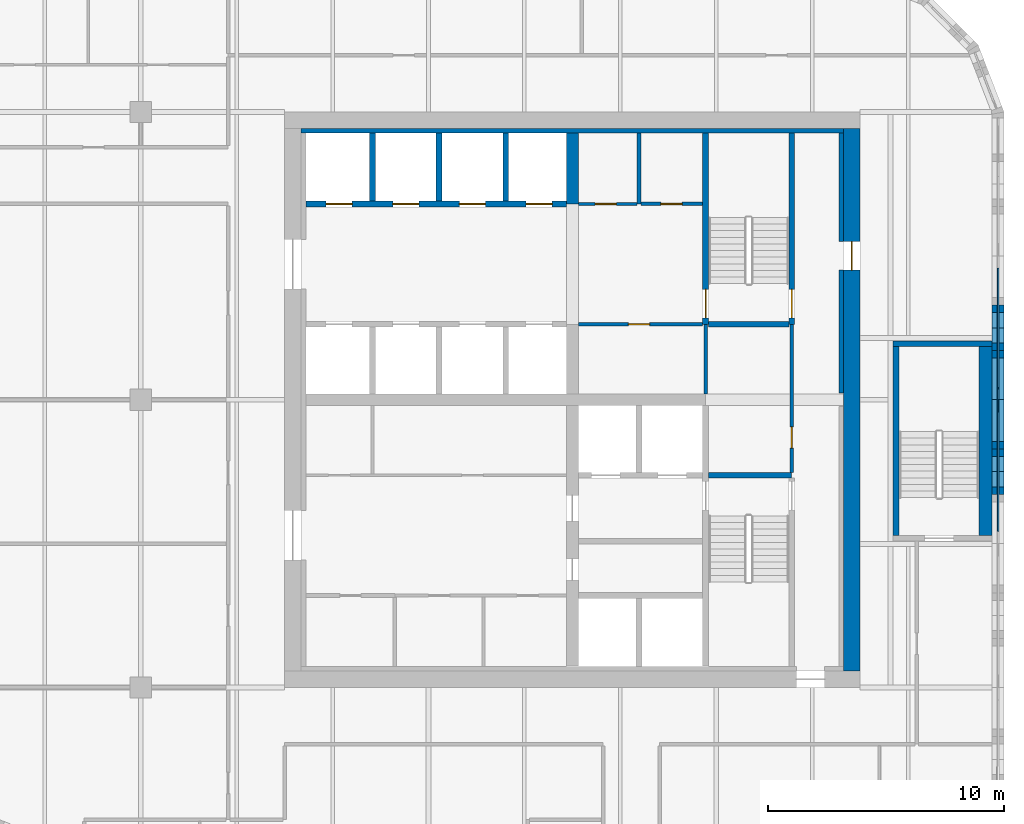
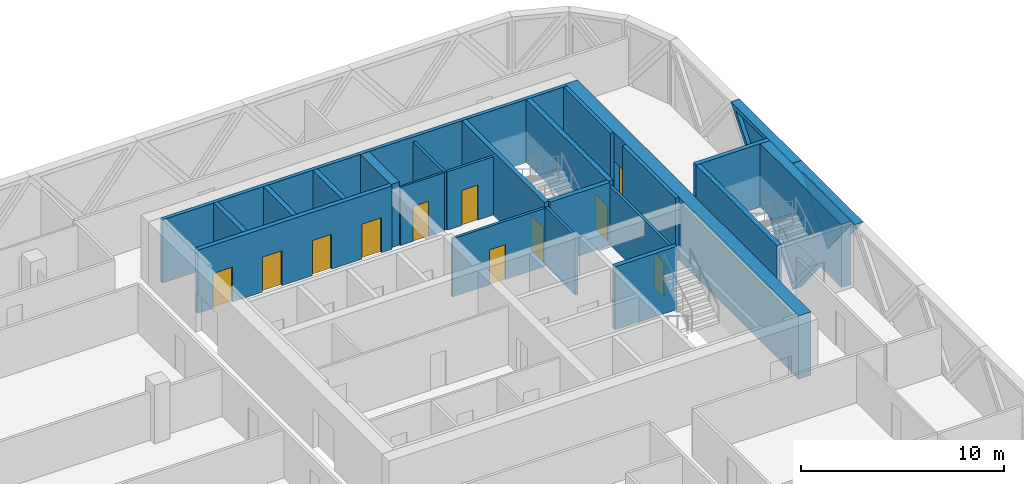
# One storey, part 12 of 15: 25 walls, 11 doors, 3 plates, 14 openings.
"""IFC4 building model written with IfcOpenShell, lengths in metres."""

from ifc_helpers import new_model, si_unit, direction, frame, frame_2d, origin, place, context, subcontext, project, spatial, polyline, rectangle, outline, extrude, faceted_brep, source, transform, mapped, material, layer, layer_set, type_object, element, fill, save


model = new_model("IFC4")

# Units and contexts
model_context = context("Model", 3, precision=1e-05, world=origin(), true_north=direction((0.0, 1.0)))
body_context = subcontext(model_context, "Body", "Model", "MODEL_VIEW")
ifc_project = project(units=[si_unit("LENGTHUNIT", "METRE"), si_unit("AREAUNIT", "SQUARE_METRE"), si_unit("VOLUMEUNIT", "CUBIC_METRE"), si_unit("PLANEANGLEUNIT", "RADIAN"), si_unit("MASSUNIT", "GRAM", prefix="KILO")], contexts=[model_context])

# Site, building, storey
site_placement = place(None, origin())
site = spatial("IfcSite", under=ifc_project, at=site_placement, CompositionType="ELEMENT")
building_placement = place(site_placement, origin())
building = spatial("IfcBuilding", under=site, at=building_placement, Name="Tessera Gate Towers", CompositionType="ELEMENT")
storey_placement = place(building_placement, frame((0.0, 0.0, 146.800048828125)))
storey = spatial("IfcBuildingStorey", under=building, at=storey_placement, Name="L36", CompositionType="ELEMENT", Elevation=146.800048828125)

# Wall, openings, doors
ifc_material_1 = material(Name="Concrete C40/50", Category="concrete")
ifc_layer_1 = layer(ifc_material_1, 0.25)
ifc_layer_set_1 = layer_set([ifc_layer_1], Name="CORE ENCLOSURE WALL 250")
wall_type_1 = type_object("IfcWallType", Name="CORE ENCLOSURE WALL 250", PredefinedType="SOLIDWALL", material=ifc_layer_set_1)
wall_1_placement = place(storey_placement, frame((42.449951171875, 44.89990234375, 0.0), z_axis=(0.0, 0.0, 1.0), x_axis=(-1.0, 0.0, 0.0)))
wall_1 = element("IfcWall", 1, at=wall_1_placement, inside=storey, type_object=wall_type_1, Name="L36 shaft and stair enclosure wall", PredefinedType="SOLIDWALL", context=body_context, shape_type="SweptSolid", body=[
    extrude(rectangle(XDim=11.050048828125, YDim=0.25, at=frame_2d((5.52490234375, 0.0))), origin(), (0.0, 0.0, 1.0), 3.800048828125),
])
shared_shape_1 = source(origin(), body_context, "Body", "SweptSolid", [
    extrude(rectangle(XDim=1.10009765625, YDim=2.10009765625, at=frame_2d((0.550048828125, 1.050048828125))), frame((0.0, 0.135009765625, 0.0), z_axis=(0.0, -1.0, 0.0), x_axis=(1.0, 0.0, 0.0)), (0.0, 0.0, 1.0), 0.27001953125),
])
opening_1_placement = place(wall_1_placement, frame((9.08740234375, 0.0, 0.0)))
opening_1 = element("IfcOpeningElement", 2, at=opening_1_placement, cuts=wall_1, Name="Opening LD-HR5", PredefinedType="OPENING", context=body_context, shape_type="MappedRepresentation", body=[
    mapped(shared_shape_1, transform((0.0, 0.0, 0.0), scale=1.0)),
])
opening_2_placement = place(wall_1_placement, frame((6.262451171875, 0.0, 0.0)))
opening_2 = element("IfcOpeningElement", 3, at=opening_2_placement, cuts=wall_1, Name="Opening LD-HR6", PredefinedType="OPENING", context=body_context, shape_type="MappedRepresentation", body=[
    mapped(shared_shape_1, transform((0.0, 0.0, 0.0), scale=1.0)),
])
opening_3_placement = place(wall_1_placement, frame((3.4375, 0.0, 0.0)))
opening_3 = element("IfcOpeningElement", 4, at=opening_3_placement, cuts=wall_1, Name="Opening LD-HR7", PredefinedType="OPENING", context=body_context, shape_type="MappedRepresentation", body=[
    mapped(shared_shape_1, transform((0.0, 0.0, 0.0), scale=1.0)),
])
opening_4_placement = place(wall_1_placement, frame((0.612548828125, 0.0, 0.0)))
opening_4 = element("IfcOpeningElement", 5, at=opening_4_placement, cuts=wall_1, Name="Opening LD-HR8", PredefinedType="OPENING", context=body_context, shape_type="MappedRepresentation", body=[
    mapped(shared_shape_1, transform((0.0, 0.0, 0.0), scale=1.0)),
])
ifc_material_2 = material(Name="Stainless steel", Category="steel")
door_type_1 = type_object("IfcDoorType", Name="CORE DOOR LD 1100x2100", OperationType="DOUBLE_DOOR_SLIDING", PredefinedType="DOOR", material=ifc_material_2)
shared_shape_2 = source(origin(), body_context, "Body", "SweptSolid", [
    extrude(rectangle(XDim=1.10009765625, YDim=2.10009765625, at=frame_2d((0.550048828125, 1.050048828125))), frame((0.0, 0.02490234375, 0.0), z_axis=(0.0, -1.0, 0.0), x_axis=(1.0, 0.0, 0.0)), (0.0, 0.0, 1.0), 0.050048828125),
])
door_1_placement = place(opening_1_placement, origin())
door_1 = element("IfcDoor", 6, at=door_1_placement, inside=storey, type_object=door_type_1, Name="Landing door HR5 L36", OperationType="DOUBLE_DOOR_SLIDING", OverallHeight=2.10009765625, OverallWidth=1.10009765625, PredefinedType="DOOR", context=body_context, shape_type="MappedRepresentation", body=[
    mapped(shared_shape_2, transform((0.0, 0.0, 0.0), scale=1.0)),
])
fill(opening_1, door_1)
door_2_placement = place(opening_2_placement, origin())
door_2 = element("IfcDoor", 7, at=door_2_placement, inside=storey, type_object=door_type_1, Name="Landing door HR6 L36", OperationType="DOUBLE_DOOR_SLIDING", OverallHeight=2.10009765625, OverallWidth=1.10009765625, PredefinedType="DOOR", context=body_context, shape_type="MappedRepresentation", body=[
    mapped(shared_shape_2, transform((0.0, 0.0, 0.0), scale=1.0)),
])
fill(opening_2, door_2)
door_3_placement = place(opening_3_placement, origin())
door_3 = element("IfcDoor", 8, at=door_3_placement, inside=storey, type_object=door_type_1, Name="Landing door HR7 L36", OperationType="DOUBLE_DOOR_SLIDING", OverallHeight=2.10009765625, OverallWidth=1.10009765625, PredefinedType="DOOR", context=body_context, shape_type="MappedRepresentation", body=[
    mapped(shared_shape_2, transform((0.0, 0.0, 0.0), scale=1.0)),
])
fill(opening_3, door_3)
door_4_placement = place(opening_4_placement, origin())
door_4 = element("IfcDoor", 9, at=door_4_placement, inside=storey, type_object=door_type_1, Name="Landing door HR8 L36", OperationType="DOUBLE_DOOR_SLIDING", OverallHeight=2.10009765625, OverallWidth=1.10009765625, PredefinedType="DOOR", context=body_context, shape_type="MappedRepresentation", body=[
    mapped(shared_shape_2, transform((0.0, 0.0, 0.0), scale=1.0)),
])
fill(opening_4, door_4)

# Wall
wall_2_placement = place(storey_placement, frame((48.47509765625, 33.39990234375, 0.0), z_axis=(0.0, 0.0, 1.0), x_axis=(1.0, 0.0, 0.0)))
element("IfcWall", 10, at=wall_2_placement, inside=storey, type_object=wall_type_1, Name="L36 shaft and stair enclosure wall", PredefinedType="SOLIDWALL", context=body_context, shape_type="SweptSolid", body=[
    extrude(rectangle(XDim=3.52490234375, YDim=0.25, at=frame_2d((1.762451171875, 0.0))), origin(), (0.0, 0.0, 1.0), 3.800048828125),
])

# Wall, opening, door
wall_3_placement = place(storey_placement, frame((48.35009765625, 47.89990234375, 0.0), z_axis=(0.0, 0.0, 1.0), x_axis=(0.0, -1.0, 0.0)))
wall_3 = element("IfcWall", 11, at=wall_3_placement, inside=storey, type_object=wall_type_1, Name="L36 shaft and stair enclosure wall", PredefinedType="SOLIDWALL", context=body_context, shape_type="SweptSolid", body=[
    extrude(rectangle(XDim=8.099853515625, YDim=0.25, at=frame_2d((4.0498046875, 0.0))), origin(), (0.0, 0.0, 1.0), 3.800048828125),
])
shared_shape_3 = source(origin(), body_context, "Body", "SweptSolid", [
    extrude(rectangle(XDim=1.199951171875, YDim=2.10009765625, at=frame_2d((0.60009765625, 1.050048828125))), frame((0.0, 0.135009765625, 0.0), z_axis=(0.0, -1.0, 0.0), x_axis=(1.0, 0.0, 0.0)), (0.0, 0.0, 1.0), 0.27001953125),
])
opening_5_placement = place(wall_3_placement, frame((6.625, 0.0, 0.0)))
opening_5 = element("IfcOpeningElement", 12, at=opening_5_placement, cuts=wall_3, Name="Opening SD-ST2-1", PredefinedType="OPENING", context=body_context, shape_type="MappedRepresentation", body=[
    mapped(shared_shape_3, transform((0.0, 0.0, 0.0), scale=1.0)),
])
ifc_material_3 = material(Name="Hollow steel fire door", Category="steel")
door_type_2 = type_object("IfcDoorType", Name="CORE DOOR SD 1200x2100", OperationType="NOTDEFINED", PredefinedType="DOOR", material=ifc_material_3)
shared_shape_4 = source(origin(), body_context, "Body", "SweptSolid", [
    extrude(rectangle(XDim=1.199951171875, YDim=2.10009765625, at=frame_2d((0.60009765625, 1.050048828125))), frame((0.0, 0.02490234375, 0.0), z_axis=(0.0, -1.0, 0.0), x_axis=(1.0, 0.0, 0.0)), (0.0, 0.0, 1.0), 0.050048828125),
])
door_5_placement = place(opening_5_placement, origin())
door_5 = element("IfcDoor", 13, at=door_5_placement, inside=storey, type_object=door_type_2, Name="Stair door", OperationType="SINGLE_SWING_RIGHT", OverallHeight=2.10009765625, OverallWidth=1.199951171875, PredefinedType="DOOR", context=body_context, shape_type="MappedRepresentation", body=[
    mapped(shared_shape_4, transform((0.0, 0.0, 0.0), scale=1.0)),
])
fill(opening_5, door_5)

wall_4_placement = place(storey_placement, frame((52.0, 39.800048828125, 0.0), z_axis=(0.0, 0.0, 1.0), x_axis=(0.0, 1.0, 0.0)))
wall_4 = element("IfcWall", 14, at=wall_4_placement, inside=storey, type_object=wall_type_1, Name="L36 shaft and stair enclosure wall", PredefinedType="SOLIDWALL", context=body_context, shape_type="SweptSolid", body=[
    extrude(rectangle(XDim=8.099853515625, YDim=0.25, at=frame_2d((4.0498046875, 0.0))), origin(), (0.0, 0.0, 1.0), 3.800048828125),
])
opening_6_placement = place(wall_4_placement, frame((0.27490234375, 0.0, 0.0)))
opening_6 = element("IfcOpeningElement", 15, at=opening_6_placement, cuts=wall_4, Name="Opening SD-ST2-2", PredefinedType="OPENING", context=body_context, shape_type="MappedRepresentation", body=[
    mapped(shared_shape_3, transform((0.0, 0.0, 0.0), scale=1.0)),
])
door_6_placement = place(opening_6_placement, origin())
door_6 = element("IfcDoor", 16, at=door_6_placement, inside=storey, type_object=door_type_2, Name="Stair door", OperationType="SINGLE_SWING_LEFT", OverallHeight=2.10009765625, OverallWidth=1.199951171875, PredefinedType="DOOR", context=body_context, shape_type="MappedRepresentation", body=[
    mapped(shared_shape_4, transform((0.0, 0.0, 0.0), scale=1.0)),
])
fill(opening_6, door_6)

# Walls
wall_5_placement = place(storey_placement, frame((48.47509765625, 39.800048828125, 0.0), z_axis=(0.0, 0.0, 1.0), x_axis=(1.0, 0.0, 0.0)))
element("IfcWall", 17, at=wall_5_placement, inside=storey, type_object=wall_type_1, Name="L36 shaft and stair enclosure wall", PredefinedType="SOLIDWALL", context=body_context, shape_type="SweptSolid", body=[
    extrude(rectangle(XDim=3.39990234375, YDim=0.25, at=frame_2d((1.699951171875, 0.0))), origin(), (0.0, 0.0, 1.0), 3.800048828125),
])
for number, where, z_axis, x_axis, name in (
    (18, (34.22509765625, 45.02490234375, 0.0), (0.0, 0.0, 1.0), (0.0, 1.0, 0.0), "L36 shaft and stair enclosure wall"),
    (19, (37.050048828125, 45.02490234375, 0.0), (0.0, 0.0, 1.0), (0.0, 1.0, 0.0), "L36 shaft and stair enclosure wall"),
    (20, (39.875, 45.02490234375, 0.0), (0.0, 0.0, 1.0), (0.0, 1.0, 0.0), "L36 shaft and stair enclosure wall"),
):
    element("IfcWall", number, at=place(storey_placement, frame(where, z_axis=z_axis, x_axis=x_axis)), inside=storey, type_object=wall_type_1, Name=name, PredefinedType="SOLIDWALL", context=body_context, shape_type="SweptSolid", body=[
        extrude(rectangle(XDim=2.875, YDim=0.25, at=frame_2d((1.4375, 0.0))), origin(), (0.0, 0.0, 1.0), 3.800048828125),
    ])
wall_6_placement = place(storey_placement, frame((56.425048828125, 30.85009765625, 0.0), z_axis=(0.0, 0.0, 1.0), x_axis=(0.0, 1.0, 0.0)))
element("IfcWall", 21, at=wall_6_placement, inside=storey, type_object=wall_type_1, Name="L36 ST5 enclosure wall", PredefinedType="SOLIDWALL", context=body_context, shape_type="SweptSolid", body=[
    extrude(rectangle(XDim=8.0, YDim=0.25, at=frame_2d((4.0, 0.0))), origin(), (0.0, 0.0, 1.0), 3.800048828125),
])
wall_7_placement = place(storey_placement, frame((56.300048828125, 38.97509765625, 0.0), z_axis=(0.0, 0.0, 1.0), x_axis=(1.0, 0.0, 0.0)))
element("IfcWall", 22, at=wall_7_placement, inside=storey, type_object=wall_type_1, Name="L36 ST5 enclosure wall", PredefinedType="SOLIDWALL", context=body_context, shape_type="SweptSolid", body=[
    extrude(rectangle(XDim=4.199951171875, YDim=0.25, at=frame_2d((2.10009765625, 0.0))), origin(), (0.0, 0.0, 1.0), 3.800048828125),
])
ifc_material_4 = material(Name="Concrete C40/50", Category="concrete")
ifc_layer_2 = layer(ifc_material_4, 0.550048828125)
ifc_layer_set_2 = layer_set([ifc_layer_2], Name="CORE ENCLOSURE WALL 550")
wall_type_2 = type_object("IfcWallType", Name="CORE ENCLOSURE WALL 550", PredefinedType="SOLIDWALL", material=ifc_layer_set_2)
wall_8_placement = place(storey_placement, frame((60.22509765625, 38.85009765625, 0.0), z_axis=(0.0, 0.0, 1.0), x_axis=(0.0, -1.0, 0.0)))
element("IfcWall", 23, at=wall_8_placement, inside=storey, type_object=wall_type_2, Name="L36 ST5 enclosure wall", PredefinedType="SOLIDWALL", context=body_context, shape_type="SweptSolid", body=[
    extrude(rectangle(XDim=8.0, YDim=0.550048828125, at=frame_2d((4.0, 0.0))), origin(), (0.0, 0.0, 1.0), 3.800048828125),
])

# Wall, opening, door
ifc_material_5 = material(Name="Gypsum board on steel studs", Category="steel")
ifc_layer_3 = layer(ifc_material_5, 0.1201171875)
ifc_layer_set_3 = layer_set([ifc_layer_3], Name="CORE PARTITION 120")
wall_type_3 = type_object("IfcWallType", Name="CORE PARTITION 120", PredefinedType="PARTITIONING", material=ifc_layer_set_3)
wall_9_placement = place(storey_placement, frame((42.949951171875, 44.89990234375, 0.0), z_axis=(0.0, 0.0, 1.0), x_axis=(1.0, 0.0, 0.0)))
wall_9 = element("IfcWall", 24, at=wall_9_placement, inside=storey, type_object=wall_type_3, Name="L36 core partition", PredefinedType="PARTITIONING", context=body_context, shape_type="SweptSolid", body=[
    extrude(rectangle(XDim=2.5, YDim=0.1201171875, at=frame_2d((1.25, 0.0))), origin(), (0.0, 0.0, 1.0), 3.5),
])
shared_shape_5 = source(origin(), body_context, "Body", "SweptSolid", [
    extrude(rectangle(XDim=0.89990234375, YDim=2.10009765625, at=frame_2d((0.449951171875, 1.050048828125))), frame((0.0, 0.070068359375, 0.0), z_axis=(0.0, -1.0, 0.0), x_axis=(1.0, 0.0, 0.0)), (0.0, 0.0, 1.0), 0.14013671875),
])
opening_7_placement = place(wall_9_placement, frame((0.71240234375, 0.0, 0.0)))
opening_7 = element("IfcOpeningElement", 25, at=opening_7_placement, cuts=wall_9, Name="Opening RD-T1-23-14", PredefinedType="OPENING", context=body_context, shape_type="MappedRepresentation", body=[
    mapped(shared_shape_5, transform((0.0, 0.0, 0.0), scale=1.0)),
])
ifc_material_6 = material(Name="Hollow steel fire door", Category="steel")
door_type_3 = type_object("IfcDoorType", Name="CORE DOOR RD 900x2100", OperationType="NOTDEFINED", PredefinedType="DOOR", material=ifc_material_6)
shared_shape_6 = source(origin(), body_context, "Body", "SweptSolid", [
    extrude(rectangle(XDim=0.89990234375, YDim=2.10009765625, at=frame_2d((0.449951171875, 1.050048828125))), frame((0.0, 0.02490234375, 0.0), z_axis=(0.0, -1.0, 0.0), x_axis=(1.0, 0.0, 0.0)), (0.0, 0.0, 1.0), 0.050048828125),
])
door_7_placement = place(opening_7_placement, origin())
door_7 = element("IfcDoor", 26, at=door_7_placement, inside=storey, type_object=door_type_3, Name="Core room door", OperationType="SINGLE_SWING_LEFT", OverallHeight=2.10009765625, OverallWidth=0.89990234375, PredefinedType="DOOR", context=body_context, shape_type="MappedRepresentation", body=[
    mapped(shared_shape_6, transform((0.0, 0.0, 0.0), scale=1.0)),
])
fill(opening_7, door_7)

ifc_material_7 = material(Name="Concrete C60/75", Category="concrete")
ifc_layer_4 = layer(ifc_material_7, 0.699951171875)
ifc_layer_set_4 = layer_set([ifc_layer_4], Name="CORE SHEAR WALL 700 C60/75")
wall_type_4 = type_object("IfcWallType", Name="CORE SHEAR WALL 700 C60/75", PredefinedType="SHEAR", material=ifc_layer_set_4)
wall_10_placement = place(storey_placement, frame((54.550048828125, 48.10009765625, 0.0), z_axis=(0.0, 0.0, 1.0), x_axis=(0.0, -1.0, 0.0)))
wall_10 = element("IfcWall", 27, at=wall_10_placement, inside=storey, type_object=wall_type_4, Name="Core wall E L36", PredefinedType="SHEAR", context=body_context, shape_type="SweptSolid", body=[
    extrude(rectangle(XDim=23.0, YDim=0.699951171875, at=frame_2d((11.5, 0.0))), origin(), (0.0, 0.0, 1.0), 3.800048828125),
])
shared_shape_7 = source(origin(), body_context, "Body", "SweptSolid", [
    extrude(rectangle(XDim=1.199951171875, YDim=2.10009765625, at=frame_2d((0.60009765625, 1.050048828125))), frame((0.0, 0.35986328125, 0.0), z_axis=(0.0, -1.0, 0.0), x_axis=(1.0, 0.0, 0.0)), (0.0, 0.0, 1.0), 0.719970703125),
])
opening_8_placement = place(wall_10_placement, frame((4.800048828125, 0.0, 0.0)))
opening_8 = element("IfcOpeningElement", 28, at=opening_8_placement, cuts=wall_10, Name="Opening ED-T1-23-04", PredefinedType="OPENING", context=body_context, shape_type="MappedRepresentation", body=[
    mapped(shared_shape_7, transform((0.0, 0.0, 0.0), scale=1.0)),
])
ifc_material_8 = material(Name="Hollow steel fire door", Category="steel")
door_type_4 = type_object("IfcDoorType", Name="CORE DOOR ED 1200x2100", OperationType="NOTDEFINED", PredefinedType="DOOR", material=ifc_material_8)
door_8_placement = place(opening_8_placement, origin())
door_8 = element("IfcDoor", 29, at=door_8_placement, inside=storey, type_object=door_type_4, Name="Core exit door", OperationType="SINGLE_SWING_LEFT", OverallHeight=2.10009765625, OverallWidth=1.199951171875, PredefinedType="DOOR", context=body_context, shape_type="MappedRepresentation", body=[
    mapped(shared_shape_4, transform((0.0, 0.0, 0.0), scale=1.0)),
])
fill(opening_8, door_8)

# Walls
ifc_material_9 = material(Name="Concrete C60/75", Category="concrete")
ifc_layer_5 = layer(ifc_material_9, 0.5)
ifc_layer_set_5 = layer_set([ifc_layer_5], Name="CORE SPINE WALL 500 C60/75")
wall_type_5 = type_object("IfcWallType", Name="CORE SPINE WALL 500 C60/75", PredefinedType="SHEAR", material=ifc_layer_set_5)
wall_11_placement = place(storey_placement, frame((42.699951171875, 44.89990234375, 0.0), z_axis=(0.0, 0.0, 1.0), x_axis=(0.0, 1.0, 0.0)))
element("IfcWall", 30, at=wall_11_placement, inside=storey, type_object=wall_type_5, Name="Core wall spine L36", PredefinedType="SHEAR", context=body_context, shape_type="SweptSolid", body=[
    extrude(rectangle(XDim=3.0, YDim=0.5, at=frame_2d((1.5, 0.0))), origin(), (0.0, 0.0, 1.0), 3.800048828125),
])
ifc_material_10 = material(Name="Concrete C60/75", Category="concrete")
ifc_layer_6 = layer(ifc_material_10, 0.199951171875)
ifc_layer_set_6 = layer_set([ifc_layer_6], Name="CORE WALL THICKENING 200")
wall_type_6 = type_object("IfcWallType", Name="CORE WALL THICKENING 200", PredefinedType="SOLIDWALL", material=ifc_layer_set_6)
wall_12_placement = place(storey_placement, frame((31.199951171875, 48.0, 0.0), z_axis=(0.0, 0.0, 1.0), x_axis=(1.0, 0.0, 0.0)))
element("IfcWall", 31, at=wall_12_placement, inside=storey, type_object=wall_type_6, Name="Core wall thickening N L36", PredefinedType="SOLIDWALL", context=body_context, shape_type="SweptSolid", body=[
    extrude(rectangle(XDim=23.0, YDim=0.199951171875, at=frame_2d((11.5, 0.0))), origin(), (0.0, 0.0, 1.0), 3.800048828125),
])
wall_13_placement = place(storey_placement, frame((54.10009765625, 36.8798828125, 0.0), z_axis=(0.0, 0.0, 1.0), x_axis=(0.0, 1.0, 0.0)))
element("IfcWall", 32, at=wall_13_placement, inside=storey, type_object=wall_type_6, Name="Core wall thickening E L36", PredefinedType="SOLIDWALL", context=body_context, shape_type="SweptSolid", body=[
    extrude(rectangle(XDim=5.22021484375, YDim=0.199951171875, at=frame_2d((2.610107421875, 0.0))), origin(), (0.0, 0.0, 1.0), 3.800048828125),
])
wall_14_placement = place(storey_placement, frame((54.10009765625, 43.300048828125, 0.0), z_axis=(0.0, 0.0, 1.0), x_axis=(0.0, 1.0, 0.0)))
element("IfcWall", 33, at=wall_14_placement, inside=storey, type_object=wall_type_6, Name="Core wall thickening E L36", PredefinedType="SOLIDWALL", context=body_context, shape_type="SweptSolid", body=[
    extrude(rectangle(XDim=4.599853515625, YDim=0.199951171875, at=frame_2d((2.2998046875, 0.0))), origin(), (0.0, 0.0, 1.0), 3.800048828125),
])

# Wall, opening, door
ifc_material_11 = material(Name="Gypsum board on steel studs", Category="steel")
ifc_layer_7 = layer(ifc_material_11, 0.14990234375)
ifc_layer_set_7 = layer_set([ifc_layer_7], Name="SERVICE ROOM WALL 150")
wall_type_7 = type_object("IfcWallType", Name="SERVICE ROOM WALL 150", PredefinedType="PARTITIONING", material=ifc_layer_set_7)
wall_15_placement = place(storey_placement, frame((52.0, 33.52490234375, 0.0), z_axis=(0.0, 0.0, 1.0), x_axis=(0.0, 1.0, 0.0)))
wall_15 = element("IfcWall", 34, at=wall_15_placement, inside=storey, type_object=wall_type_7, Name="L36 service room wall", PredefinedType="PARTITIONING", context=body_context, shape_type="SweptSolid", body=[
    extrude(rectangle(XDim=6.275146484375, YDim=0.14990234375, at=frame_2d((3.1376953125, 0.0))), origin(), (0.0, 0.0, 1.0), 3.5),
])
shared_shape_8 = source(origin(), body_context, "Body", "SweptSolid", [
    extrude(rectangle(XDim=0.89990234375, YDim=2.10009765625, at=frame_2d((0.449951171875, 1.050048828125))), frame((0.0, 0.0849609375, 0.0), z_axis=(0.0, -1.0, 0.0), x_axis=(1.0, 0.0, 0.0)), (0.0, 0.0, 1.0), 0.169921875),
])
opening_9_placement = place(wall_15_placement, frame((1.02490234375, 0.0, 0.0)))
opening_9 = element("IfcOpeningElement", 35, at=opening_9_placement, cuts=wall_15, Name="Opening RD-T1-23-11", PredefinedType="OPENING", context=body_context, shape_type="MappedRepresentation", body=[
    mapped(shared_shape_8, transform((0.0, 0.0, 0.0), scale=1.0)),
])
door_9_placement = place(opening_9_placement, origin())
door_9 = element("IfcDoor", 36, at=door_9_placement, inside=storey, type_object=door_type_3, Name="Core room door", OperationType="SINGLE_SWING_LEFT", OverallHeight=2.10009765625, OverallWidth=0.89990234375, PredefinedType="DOOR", context=body_context, shape_type="MappedRepresentation", body=[
    mapped(shared_shape_6, transform((0.0, 0.0, 0.0), scale=1.0)),
])
fill(opening_9, door_9)

wall_16_placement = place(storey_placement, frame((48.22509765625, 39.800048828125, 0.0), z_axis=(0.0, 0.0, 1.0), x_axis=(-1.0, 0.0, 0.0)))
wall_16 = element("IfcWall", 37, at=wall_16_placement, inside=storey, type_object=wall_type_7, Name="L36 service room wall", PredefinedType="PARTITIONING", context=body_context, shape_type="SweptSolid", body=[
    extrude(rectangle(XDim=5.275146484375, YDim=0.14990234375, at=frame_2d((2.6376953125, 0.0))), origin(), (0.0, 0.0, 1.0), 3.5),
])
opening_10_placement = place(wall_16_placement, frame((2.25, 0.0, 0.0)))
opening_10 = element("IfcOpeningElement", 38, at=opening_10_placement, cuts=wall_16, Name="Opening RD-T1-23-12", PredefinedType="OPENING", context=body_context, shape_type="MappedRepresentation", body=[
    mapped(shared_shape_8, transform((0.0, 0.0, 0.0), scale=1.0)),
])
door_10_placement = place(opening_10_placement, origin())
door_10 = element("IfcDoor", 39, at=door_10_placement, inside=storey, type_object=door_type_3, Name="Core room door", OperationType="SINGLE_SWING_RIGHT", OverallHeight=2.10009765625, OverallWidth=0.89990234375, PredefinedType="DOOR", context=body_context, shape_type="MappedRepresentation", body=[
    mapped(shared_shape_6, transform((0.0, 0.0, 0.0), scale=1.0)),
])
fill(opening_10, door_10)

# Walls
wall_17_placement = place(storey_placement, frame((48.35009765625, 36.85009765625, 0.0), z_axis=(0.0, 0.0, 1.0), x_axis=(0.0, 1.0, 0.0)))
element("IfcWall", 40, at=wall_17_placement, inside=storey, type_object=wall_type_7, Name="L36 service room wall", PredefinedType="PARTITIONING", context=body_context, shape_type="SweptSolid", body=[
    extrude(rectangle(XDim=2.949951171875, YDim=0.14990234375, at=frame_2d((1.47509765625, 0.0))), origin(), (0.0, 0.0, 1.0), 3.5),
])
wall_18_placement = place(storey_placement, frame((45.52490234375, 44.89990234375, 0.0), z_axis=(0.0, 0.0, 1.0), x_axis=(0.0, 1.0, 0.0)))
element("IfcWall", 41, at=wall_18_placement, inside=storey, type_object=wall_type_7, Name="L36 service room wall", PredefinedType="PARTITIONING", context=body_context, shape_type="SweptSolid", body=[
    extrude(rectangle(XDim=3.0, YDim=0.14990234375, at=frame_2d((1.5, 0.0))), origin(), (0.0, 0.0, 1.0), 3.5),
])

# Wall, opening, door
wall_19_placement = place(storey_placement, frame((45.60009765625, 44.89990234375, 0.0), z_axis=(0.0, 0.0, 1.0), x_axis=(1.0, 0.0, 0.0)))
wall_19 = element("IfcWall", 42, at=wall_19_placement, inside=storey, type_object=wall_type_7, Name="L36 service room wall", PredefinedType="PARTITIONING", context=body_context, shape_type="SweptSolid", body=[
    extrude(rectangle(XDim=2.625, YDim=0.14990234375, at=frame_2d((1.3125, 0.0))), origin(), (0.0, 0.0, 1.0), 3.5),
])
opening_11_placement = place(wall_19_placement, frame((0.85009765625, 0.0, 0.0)))
opening_11 = element("IfcOpeningElement", 43, at=opening_11_placement, cuts=wall_19, Name="Opening RD-T1-23-15", PredefinedType="OPENING", context=body_context, shape_type="MappedRepresentation", body=[
    mapped(shared_shape_8, transform((0.0, 0.0, 0.0), scale=1.0)),
])
door_11_placement = place(opening_11_placement, origin())
door_11 = element("IfcDoor", 44, at=door_11_placement, inside=storey, type_object=door_type_3, Name="Core room door", OperationType="SINGLE_SWING_LEFT", OverallHeight=2.10009765625, OverallWidth=0.89990234375, PredefinedType="DOOR", context=body_context, shape_type="MappedRepresentation", body=[
    mapped(shared_shape_6, transform((0.0, 0.0, 0.0), scale=1.0)),
])
fill(opening_11, door_11)

# Wall, opening, plate
ifc_material_12 = material(Name="Precast concrete C60/75 white", Category="concrete")
ifc_layer_8 = layer(ifc_material_12, 0.5)
ifc_layer_set_8 = layer_set([ifc_layer_8], Name="TS1 tessera")
wall_type_8 = type_object("IfcWallType", Name="TS1 tessera", PredefinedType="SOLIDWALL", material=ifc_layer_set_8)
shared_shape_9 = source(origin(), body_context, "Body", "Brep", [
    faceted_brep([(3.050048828125, -0.25, 0.0), (6.099853515625, -0.25, 3.7998046875), (6.099853515625, -0.25, 3.80029296875), (3.050048828125, -0.25, 7.60009765625), (0.0, -0.25, 3.800048828125), (0.0, 0.25, 3.800048828125), (3.050048828125, 0.25, 7.60009765625), (6.099853515625, 0.25, 3.80029296875), (6.099853515625, 0.25, 3.7998046875), (3.050048828125, 0.25, 0.0)], [[[0, 1, 2, 3, 4]], [[5, 6, 7, 8, 9]], [[9, 8, 1, 0]], [[7, 6, 3, 2]], [[6, 5, 4, 3]], [[5, 9, 0, 4]], [[1, 8, 7, 2]]]),
])
wall_20_placement = place(storey_placement, frame((60.75, 33.550048828125, -3.800048828125), z_axis=(0.0, 0.0, 1.0), x_axis=(0.0, 1.0, 0.0)))
wall_20 = element("IfcWall", 45, at=wall_20_placement, inside=storey, type_object=wall_type_8, Name="Precast tessera T1 TS1-0629", PredefinedType="SOLIDWALL", context=body_context, shape_type="MappedRepresentation", body=[
    mapped(shared_shape_9, transform((0.0, 0.0, 0.0), scale=1.0)),
])
shared_shape_10 = source(origin(), body_context, "Body", "SweptSolid", [
    extrude(outline(polyline([(3.050048828125, 0.3994140625), (5.779541015625, 3.800048828125), (3.050048828125, 7.20068359375), (0.320556640625, 3.800048828125), (3.050048828125, 0.3994140625)])), frame((0.0, 0.260009765625, 0.0), z_axis=(0.0, -1.0, 0.0), x_axis=(1.0, 0.0, 0.0)), (0.0, 0.0, 1.0), 0.52001953125),
])
opening_12_placement = place(wall_20_placement, origin())
opening_12 = element("IfcOpeningElement", 46, at=opening_12_placement, cuts=wall_20, Name="Opening T1-PL2-1281", PredefinedType="OPENING", context=body_context, shape_type="MappedRepresentation", body=[
    mapped(shared_shape_10, transform((0.0, 0.0, 0.0), scale=1.0)),
])
ifc_material_13 = material(Name="Low-e laminated glass", Category="glass")
ifc_layer_9 = layer(ifc_material_13, 0.06005859375)
ifc_layer_set_9 = layer_set([ifc_layer_9], Name="PL2 rhombic pane")
plate_type_1 = type_object("IfcPlateType", Name="PL2 rhombic pane", PredefinedType="SHEET", material=ifc_layer_set_9)
shared_shape_11 = source(origin(), body_context, "Body", "SweptSolid", [
    extrude(outline(polyline([(3.050048828125, 0.3994140625), (5.779541015625, 3.800048828125), (3.050048828125, 7.20068359375), (0.320556640625, 3.800048828125), (3.050048828125, 0.3994140625)])), frame((0.0, 0.030029296875, 0.0), z_axis=(0.0, -1.0, 0.0), x_axis=(1.0, 0.0, 0.0)), (0.0, 0.0, 1.0), 0.06005859375),
])
plate_1_placement = place(opening_12_placement, origin())
plate_1 = element("IfcPlate", 47, at=plate_1_placement, inside=storey, type_object=plate_type_1, Name="Glass pane T1 PL2-1281", PredefinedType="SHEET", context=body_context, shape_type="MappedRepresentation", body=[
    mapped(shared_shape_11, transform((0.0, 0.0, 0.0), scale=1.0)),
])
fill(opening_12, plate_1)

ifc_material_14 = material(Name="Precast concrete C60/75 white", Category="concrete")
ifc_layer_10 = layer(ifc_material_14, 0.5)
ifc_layer_set_10 = layer_set([ifc_layer_10], Name="TS2 half tessera")
wall_type_9 = type_object("IfcWallType", Name="TS2 half tessera", PredefinedType="SOLIDWALL", material=ifc_layer_set_10)
shared_shape_12 = source(origin(), body_context, "Body", "Brep", [
    faceted_brep([(3.050048828125, -0.25, 0.0), (6.099853515625, -0.25, 3.7998046875), (6.099853515625, -0.25, 3.800048828125), (0.0, -0.25, 3.800048828125), (0.0, 0.25, 3.800048828125), (6.099853515625, 0.25, 3.800048828125), (6.099853515625, 0.25, 3.7998046875), (3.050048828125, 0.25, 0.0)], [[[0, 1, 2, 3]], [[4, 5, 6, 7]], [[7, 6, 1, 0]], [[5, 4, 3, 2]], [[4, 7, 0, 3]], [[1, 6, 5, 2]]]),
])
wall_21_placement = place(storey_placement, frame((60.75, 36.60009765625, 0.0), z_axis=(0.0, 0.0, 1.0), x_axis=(0.0, 1.0, 0.0)))
wall_21 = element("IfcWall", 48, at=wall_21_placement, inside=storey, type_object=wall_type_9, Name="Precast half tessera T1 TS2-0169", PredefinedType="SOLIDWALL", context=body_context, shape_type="MappedRepresentation", body=[
    mapped(shared_shape_12, transform((0.0, 0.0, 0.0), scale=1.0)),
])
shared_shape_13 = source(origin(), body_context, "Body", "SweptSolid", [
    extrude(outline(polyline([(3.050048828125, 0.3994140625), (5.578857421875, 3.550048828125), (0.521240234375, 3.550048828125), (3.050048828125, 0.3994140625)])), frame((0.0, 0.260009765625, 0.0), z_axis=(0.0, -1.0, 0.0), x_axis=(1.0, 0.0, 0.0)), (0.0, 0.0, 1.0), 0.52001953125),
])
opening_13_placement = place(wall_21_placement, origin())
opening_13 = element("IfcOpeningElement", 49, at=opening_13_placement, cuts=wall_21, Name="Opening T1-PL1-0343", PredefinedType="OPENING", context=body_context, shape_type="MappedRepresentation", body=[
    mapped(shared_shape_13, transform((0.0, 0.0, 0.0), scale=1.0)),
])
ifc_material_15 = material(Name="Low-e laminated glass", Category="glass")
ifc_layer_11 = layer(ifc_material_15, 0.06005859375)
ifc_layer_set_11 = layer_set([ifc_layer_11], Name="PL1 triangular pane")
plate_type_2 = type_object("IfcPlateType", Name="PL1 triangular pane", PredefinedType="SHEET", material=ifc_layer_set_11)
shared_shape_14 = source(origin(), body_context, "Body", "SweptSolid", [
    extrude(outline(polyline([(3.050048828125, 0.3994140625), (5.578857421875, 3.550048828125), (0.521240234375, 3.550048828125), (3.050048828125, 0.3994140625)])), frame((0.0, 0.030029296875, 0.0), z_axis=(0.0, -1.0, 0.0), x_axis=(1.0, 0.0, 0.0)), (0.0, 0.0, 1.0), 0.06005859375),
])
plate_2_placement = place(opening_13_placement, origin())
plate_2 = element("IfcPlate", 50, at=plate_2_placement, inside=storey, type_object=plate_type_2, Name="Glass pane T1 PL1-0343", PredefinedType="SHEET", context=body_context, shape_type="MappedRepresentation", body=[
    mapped(shared_shape_14, transform((0.0, 0.0, 0.0), scale=1.0)),
])
fill(opening_13, plate_2)

shared_shape_15 = source(origin(), body_context, "Body", "SweptSolid", [
    extrude(outline(polyline([(3.050048828125, 0.0), (6.10009765625, 3.800048828125), (0.0, 3.800048828125), (3.050048828125, 0.0)])), frame((0.0, 0.25, 0.0), z_axis=(0.0, -1.0, 0.0), x_axis=(1.0, 0.0, 0.0)), (0.0, 0.0, 1.0), 0.5),
])
wall_22_placement = place(storey_placement, frame((60.75, 30.5, 0.0), z_axis=(0.0, 0.0, 1.0), x_axis=(0.0, 1.0, 0.0)))
wall_22 = element("IfcWall", 51, at=wall_22_placement, inside=storey, type_object=wall_type_9, Name="Precast half tessera T1 TS2-0168", PredefinedType="SOLIDWALL", context=body_context, shape_type="MappedRepresentation", body=[
    mapped(shared_shape_15, transform((0.0, 0.0, 0.0), scale=1.0)),
])
opening_14_placement = place(wall_22_placement, origin())
opening_14 = element("IfcOpeningElement", 52, at=opening_14_placement, cuts=wall_22, Name="Opening T1-PL1-0342", PredefinedType="OPENING", context=body_context, shape_type="MappedRepresentation", body=[
    mapped(shared_shape_13, transform((0.0, 0.0, 0.0), scale=1.0)),
])
plate_3_placement = place(opening_14_placement, origin())
plate_3 = element("IfcPlate", 53, at=plate_3_placement, inside=storey, type_object=plate_type_2, Name="Glass pane T1 PL1-0342", PredefinedType="SHEET", context=body_context, shape_type="MappedRepresentation", body=[
    mapped(shared_shape_14, transform((0.0, 0.0, 0.0), scale=1.0)),
])
fill(opening_14, plate_3)

save(model, "model.ifc")
